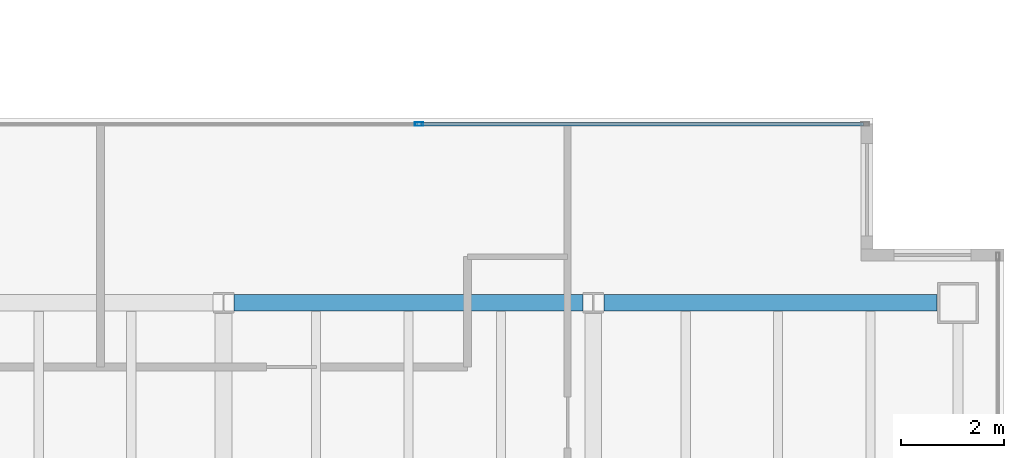
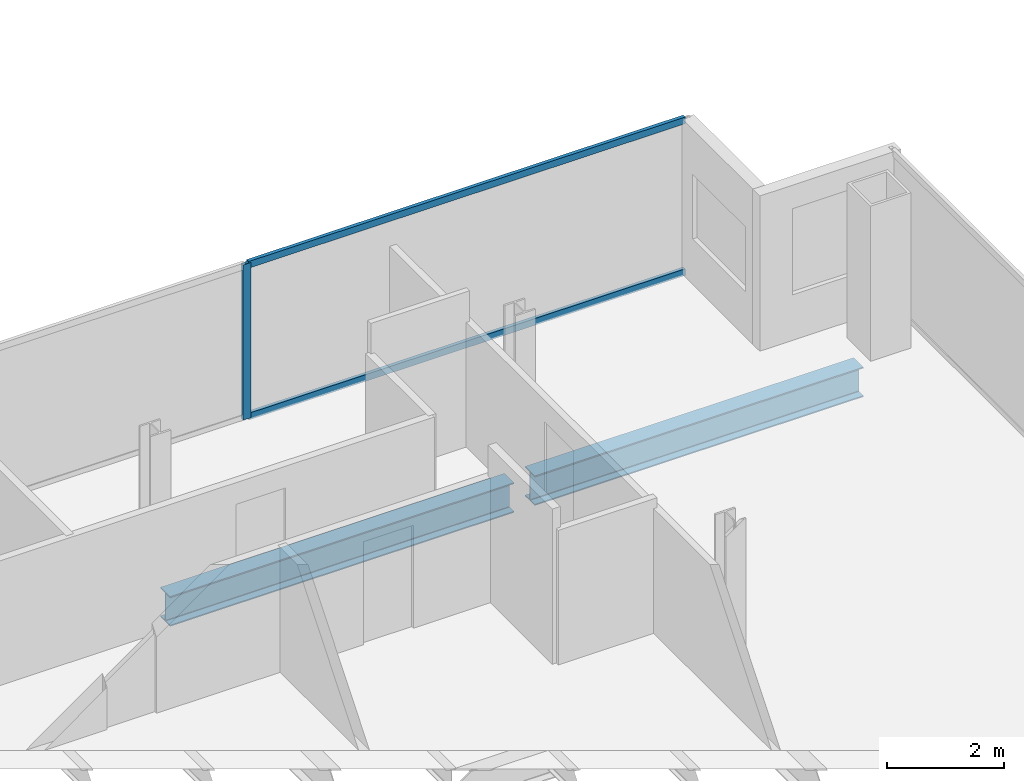
# One storey, part 15 of 23: 3 members, 2 beams, 1 element without a shape of its own.
"""IFC4 building model written with IfcOpenShell, lengths in metres."""

from ifc_helpers import new_model, si_unit, direction, frame, origin, origin_2d, place, context, subcontext, project, spatial, hollow_rectangle, i_section, extrude, material, material_profile, profile_set, type_object, element, aggregate, save


model = new_model("IFC4")

# Units and contexts
model_context = context("Model", 3, precision=1e-05, world=origin(), true_north=direction((0.0, 1.0)))
body_context = subcontext(model_context, "Body", "Model", "MODEL_VIEW")
ifc_project = project(units=[si_unit("LENGTHUNIT", "METRE"), si_unit("AREAUNIT", "SQUARE_METRE"), si_unit("VOLUMEUNIT", "CUBIC_METRE"), si_unit("PLANEANGLEUNIT", "RADIAN"), si_unit("MASSUNIT", "GRAM", prefix="KILO")], contexts=[model_context])

# Site, building, storey
site_placement = place(None, origin())
site = spatial("IfcSite", under=ifc_project, at=site_placement, CompositionType="ELEMENT")
building_placement = place(site_placement, origin())
building = spatial("IfcBuilding", under=site, at=building_placement, Name="Cobrela Telecom Tower", CompositionType="ELEMENT")
storey_placement = place(building_placement, frame((0.0, 0.0, 190.75)))
storey = spatial("IfcBuildingStorey", under=building, at=storey_placement, Name="L48", CompositionType="ELEMENT", Elevation=190.75)

# Beams
ifc_material_1 = material(Name="Steel ASTM A992 Grade 50", Category="steel")
ifc_material_profile_1 = material_profile(ifc_material_1, i_section(OverallWidth=0.327880859375, OverallDepth=0.6220703125, WebThickness=0.015380859375, FlangeThickness=0.0244140625, FilletRadius=0.014892578125, at=origin_2d()), Name="W24X131")
ifc_profile_set_1 = profile_set([ifc_material_profile_1], Name="Steel ASTM A992 Grade 50")
beam_type = type_object("IfcBeamType", Name="BM-GIRD-06", PredefinedType="USERDEFINED", material=ifc_profile_set_1)
beam_1_placement = place(storey_placement, frame((29.00439453125, 21.60009765625, -0.571044921875), z_axis=(1.0, 0.0, 0.0), x_axis=(0.0, 1.0, 0.0)))
element("IfcBeam", 1, at=beam_1_placement, inside=storey, type_object=beam_type, Name="L48 Primary Girder X17", ObjectType="GIRDER", PredefinedType="USERDEFINED", context=body_context, shape_type="SweptSolid", body=[
    extrude(i_section(OverallWidth=0.327880859375, OverallDepth=0.6220703125, WebThickness=0.015380859375, FlangeThickness=0.0244140625, FilletRadius=0.014892578125, at=origin_2d()), origin(), (0.0, 0.0, 1.0), 6.791015625),
])
beam_2_placement = place(storey_placement, frame((36.20458984375, 21.60009765625, -0.571044921875), z_axis=(1.0, 0.0, 0.0), x_axis=(0.0, 1.0, 0.0)))
element("IfcBeam", 2, at=beam_2_placement, inside=storey, type_object=beam_type, Name="L48 Primary Girder X18", ObjectType="GIRDER", PredefinedType="USERDEFINED", context=body_context, shape_type="SweptSolid", body=[
    extrude(i_section(OverallWidth=0.327880859375, OverallDepth=0.6220703125, WebThickness=0.015380859375, FlangeThickness=0.0244140625, FilletRadius=0.014892578125, at=origin_2d()), origin(), (0.0, 0.0, 1.0), 6.490478515625),
])

# Curtain wall, members
ifc_material_2 = material(Name="Anodized Bronze Aluminium 6063-T6", Category="aluminium")
curtain_wall_type = type_object("IfcCurtainWallType", Name="CW-SYS-OFF-LO", PredefinedType="USERDEFINED", material=ifc_material_2)
curtain_wall_placement = place(storey_placement, origin())
curtain_wall = element("IfcCurtainWall", 3, at=curtain_wall_placement, inside=storey, type_object=curtain_wall_type, Name="L48 Unitised Bronze Curtain Wall 11", ObjectType="UNITISED CURTAIN WALL", PredefinedType="USERDEFINED")
ifc_material_profile_2 = material_profile(ifc_material_2, hollow_rectangle(XDim=0.070068359375, YDim=0.159912109375, WallThickness=0.00390625, at=origin_2d()), Name="ALU 70x160x4")
ifc_profile_set_2 = profile_set([ifc_material_profile_2], Name="Anodized Bronze Aluminium 6063-T6")
member_type_1 = type_object("IfcMemberType", Name="CW-SYS-OFF-LO-MUL", PredefinedType="MULLION", material=ifc_profile_set_2)
member_1_placement = place(storey_placement, frame((32.60498046875, 25.080078125, 0.0), z_axis=(0.0, 0.0, 1.0), x_axis=(0.0, 1.0, 0.0)))
member_1 = element("IfcMember", 4, at=member_1_placement, type_object=member_type_1, Name="CW-OFF-LO mullion 2", PredefinedType="MULLION", context=body_context, shape_type="SweptSolid", body=[
    extrude(hollow_rectangle(XDim=0.070068359375, YDim=0.159912109375, WallThickness=0.00390625, at=origin_2d()), origin(), (0.0, 0.0, 1.0), 3.239990234375),
])
ifc_material_profile_3 = material_profile(ifc_material_2, hollow_rectangle(XDim=0.070068359375, YDim=0.139892578125, WallThickness=0.00390625, at=origin_2d()), Name="ALU 70x140x4")
ifc_profile_set_3 = profile_set([ifc_material_profile_3], Name="Anodized Bronze Aluminium 6063-T6")
member_type_2 = type_object("IfcMemberType", Name="CW-SYS-OFF-LO-TRN", PredefinedType="USERDEFINED", material=ifc_profile_set_3)
member_2_placement = place(storey_placement, frame((32.639892578125, 25.080078125, 0.034912109375), z_axis=(1.0, 0.0, 0.0), x_axis=(0.0, 1.0, 0.0)))
member_2 = element("IfcMember", 5, at=member_2_placement, type_object=member_type_2, Name="CW-OFF-LO transom 2.1", ObjectType="TRANSOM", PredefinedType="USERDEFINED", context=body_context, shape_type="SweptSolid", body=[
    extrude(hollow_rectangle(XDim=0.070068359375, YDim=0.139892578125, WallThickness=0.00390625, at=origin_2d()), origin(), (0.0, 0.0, 1.0), 8.6201171875),
])
member_3_placement = place(storey_placement, frame((32.639892578125, 25.080078125, 3.205078125), z_axis=(1.0, 0.0, 0.0), x_axis=(0.0, 1.0, 0.0)))
member_3 = element("IfcMember", 6, at=member_3_placement, type_object=member_type_2, Name="CW-OFF-LO transom 2.2", ObjectType="TRANSOM", PredefinedType="USERDEFINED", context=body_context, shape_type="SweptSolid", body=[
    extrude(hollow_rectangle(XDim=0.070068359375, YDim=0.139892578125, WallThickness=0.00390625, at=origin_2d()), origin(), (0.0, 0.0, 1.0), 8.6201171875),
])
aggregate(curtain_wall, [member_1, member_2, member_3])

save(model, "model.ifc")
